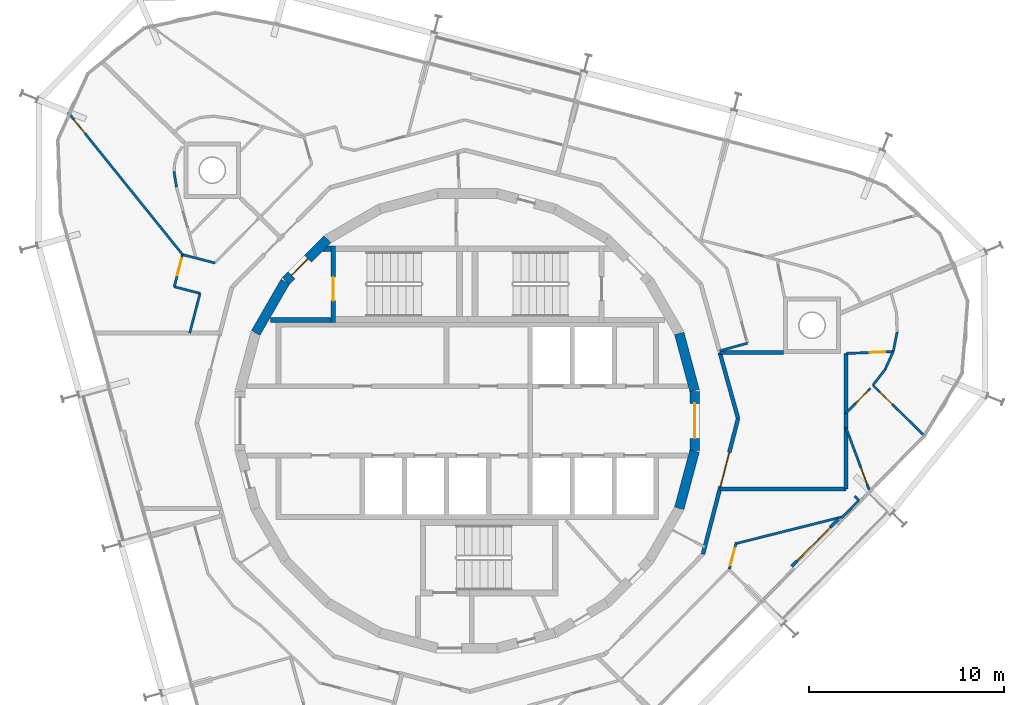
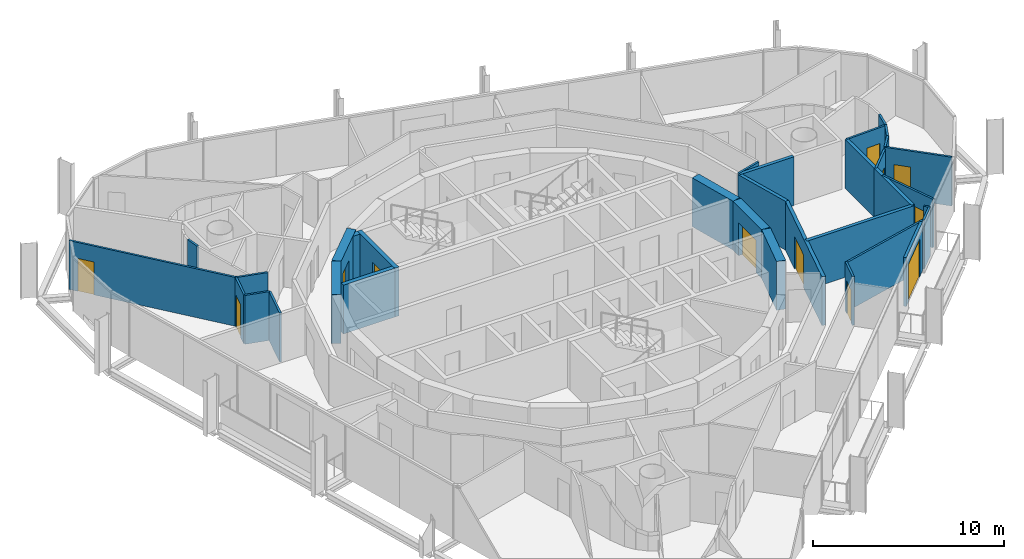
# One storey, part 12 of 15: 33 walls, 12 doors, 12 openings.
"""IFC4 building model written with IfcOpenShell, lengths in metres."""

import ifcopenshell
import ifcopenshell.guid

model = None  # the IFC model being written
_history = None  # IfcOwnerHistory: only IFC2X3 demands one
_inside = {}  # id of a spatial element -> (the spatial element, [elements in it])
_under = {}  # id of a project, library or spatial element -> (it, [spatial elements below it])
_declared = {}  # id of a project -> (the project, [libraries it declares])
_typed = {}  # id of a type object -> (the type object, [elements of that type])
_made_of = {}  # id of a material, layer set ... -> (it, [elements and type objects made of it])


def new_model(schema):
    """Start an empty IFC model of exactly this schema.

    Asked for "IFC4X3", IfcOpenShell would pick the latest addendum, in which some entities
    have other attributes; the version numbers below select the first issue.
    IFC2X3 requires an IfcOwnerHistory on every rooted entity: one is made here for all.
    """
    global model, _history
    if schema == "IFC4X3":
        model = ifcopenshell.file(schema_version=(4, 3, 0, 0))
    else:
        model = ifcopenshell.file(schema=schema)
    _inside.clear()
    _under.clear()
    _declared.clear()
    _typed.clear()
    _made_of.clear()
    _history = None
    if model.schema == "IFC2X3":
        org = make("IfcOrganization", Name="unknown")
        user = make(
            "IfcPersonAndOrganization",
            ThePerson=make("IfcPerson", FamilyName="unknown"),
            TheOrganization=org,
        )
        app = make(
            "IfcApplication",
            ApplicationDeveloper=org,
            Version="unknown",
            ApplicationFullName="unknown",
            ApplicationIdentifier="unknown",
        )
        _history = make(
            "IfcOwnerHistory",
            OwningUser=user,
            OwningApplication=app,
            ChangeAction="ADDED",
            CreationDate=0,
        )
    return model


def make(cls, **values):
    """One entity of the class cls with the attributes given. An attribute that is None is left unset."""
    return model.create_entity(
        cls, **{name: value for name, value in values.items() if value is not None}
    )


def rooted(cls, **values):
    """An entity with a GlobalId (a new one), such as an element, a storey or a relation."""
    return make(cls, GlobalId=ifcopenshell.guid.new(), OwnerHistory=_history, **values)


def si_unit(unit_type, name, prefix=None):
    """IfcSIUnit, for example si_unit("LENGTHUNIT", "METRE", prefix="MILLI")."""
    return make("IfcSIUnit", UnitType=unit_type, Prefix=prefix, Name=name)


def assignment(units):
    """IfcUnitAssignment: the units of a project."""
    return None if units is None else make("IfcUnitAssignment", Units=units)


def point(xyz):
    """IfcCartesianPoint."""
    return None if xyz is None else make("IfcCartesianPoint", Coordinates=xyz)


def direction(xyz):
    """IfcDirection."""
    return None if xyz is None else make("IfcDirection", DirectionRatios=xyz)


def frame(location, z_axis=None, x_axis=None):
    """IfcAxis2Placement3D, a coordinate frame: its origin and axes. An axis left out is left unset."""
    return make(
        "IfcAxis2Placement3D",
        Location=point(location),
        Axis=direction(z_axis),
        RefDirection=direction(x_axis),
    )


def frame_2d(location, x_axis=None):
    """IfcAxis2Placement2D, a coordinate frame in the plane: its origin and x axis."""
    return make(
        "IfcAxis2Placement2D", Location=point(location), RefDirection=direction(x_axis)
    )


def origin():
    """The frame at (0, 0, 0) with its axes left unset."""
    return frame((0.0, 0.0, 0.0))


def place(relative_to, where):
    """IfcLocalPlacement: puts the frame where relative to a parent placement (None: the world)."""
    return make(
        "IfcLocalPlacement", PlacementRelTo=relative_to, RelativePlacement=where
    )


def context(
    kind, dimensions, precision=None, world=None, true_north=None, identifier=None
):
    """IfcGeometricRepresentationContext, for example the 3D "Model" context."""
    return make(
        "IfcGeometricRepresentationContext",
        ContextIdentifier=identifier,
        ContextType=kind,
        CoordinateSpaceDimension=dimensions,
        Precision=precision,
        WorldCoordinateSystem=world,
        TrueNorth=true_north,
    )


def subcontext(parent, identifier, kind, view, scale=None):
    """IfcGeometricRepresentationSubContext, for example "Body" below "Model"."""
    return make(
        "IfcGeometricRepresentationSubContext",
        ContextIdentifier=identifier,
        ContextType=kind,
        ParentContext=parent,
        TargetScale=scale,
        TargetView=view,
    )


def project(units=None, contexts=None):
    """IfcProject with its units and contexts."""
    return rooted(
        "IfcProject",
        Name="project",
        RepresentationContexts=contexts,
        UnitsInContext=assignment(units),
    )


def spatial(cls, under=None, at=None, **own):
    """A site, building, storey or space (cls), placed at a placement, below another one or the project."""
    s = rooted(cls, ObjectPlacement=at, **own)
    if under is not None:
        _under.setdefault(under.id(), (under, []))[1].append(s)
    return s


def polyline(points):
    """IfcPolyline through the points."""
    return make("IfcPolyline", Points=[point(p) for p in points])


def profile(cls, at=None, kind="AREA", **sizes):
    """A parametric profile (cls). Its sizes go by their IFC names, for example OverallWidth=200.0."""
    return make(cls, ProfileType=kind, Position=at, **sizes)


def rectangle(**sizes):
    """IfcRectangleProfileDef."""
    return profile("IfcRectangleProfileDef", **sizes)


def outline(outer, holes=None, kind="AREA"):
    """IfcArbitraryClosedProfileDef: a profile drawn as a closed curve; with holes, ...WithVoids."""
    if holes is None:
        return make("IfcArbitraryClosedProfileDef", ProfileType=kind, OuterCurve=outer)
    return make(
        "IfcArbitraryProfileDefWithVoids",
        ProfileType=kind,
        OuterCurve=outer,
        InnerCurves=holes,
    )


def extrude(swept, where, along, depth):
    """IfcExtrudedAreaSolid: the profile swept, set in the frame where, extruded along a direction by depth."""
    return make(
        "IfcExtrudedAreaSolid",
        SweptArea=swept,
        Position=where,
        ExtrudedDirection=direction(along),
        Depth=depth,
    )


def shape(context_of_items, identifier, shape_type, items):
    """IfcShapeRepresentation: the items that make up one representation, for example the "Body"."""
    return make(
        "IfcShapeRepresentation",
        ContextOfItems=context_of_items,
        RepresentationIdentifier=identifier,
        RepresentationType=shape_type,
        Items=items,
    )


def material(Name=None, Category=None):
    """IfcMaterial."""
    return make("IfcMaterial", Name=Name, Category=Category)


def layer(
    of_material, thickness, ventilated=None, Name=None, Category=None, Priority=None
):
    """IfcMaterialLayer: one layer of a wall or slab, of a material (None: an air gap)."""
    return make(
        "IfcMaterialLayer",
        Material=of_material,
        LayerThickness=thickness,
        IsVentilated=ventilated,
        Name=Name,
        Category=Category,
        Priority=Priority,
    )


def layer_set(layers, Name=None):
    """IfcMaterialLayerSet."""
    return make("IfcMaterialLayerSet", MaterialLayers=layers, LayerSetName=Name)


def made_of(thing, what):
    """Note that an element or type object is made of a material, layer set ...; save() writes the relation."""
    if what is not None:
        _made_of.setdefault(what.id(), (what, []))[1].append(thing)
    return thing


def type_object(cls, material=None, **own):
    """A type object (cls), such as IfcWallType, which elements share."""
    return made_of(rooted(cls, **own), material)


def element(
    cls,
    number,
    at=None,
    inside=None,
    cuts=None,
    type_object=None,
    material=None,
    context=None,
    identifier="Body",
    shape_type=None,
    held_by="IfcProductDefinitionShape",
    body=None,
    shapes=None,
    **own,
):
    """One element of the class cls, such as IfcWall. Its Tag is "e" and its number.

    at: its placement. inside: the storey or other place that contains it. cuts: it is an
    opening in that element (IfcRelVoidsElement). A single representation is given by context,
    identifier, shape_type and body (its items); several are given by shapes. held_by: the class
    of the entity that holds the representations. save() writes the other relations.
    """
    e = rooted(cls, Tag="e%d" % number, ObjectPlacement=at, **own)
    if body is not None:
        shapes = [shape(context, identifier, shape_type, body)]
    if shapes is not None:
        e.Representation = make(held_by, Representations=shapes)
    if inside is not None:
        _inside.setdefault(inside.id(), (inside, []))[1].append(e)
    if cuts is not None:
        rooted(
            "IfcRelVoidsElement", RelatingBuildingElement=cuts, RelatedOpeningElement=e
        )
    if type_object is not None:
        _typed.setdefault(type_object.id(), (type_object, []))[1].append(e)
    return made_of(e, material)


def fill(opening, filler):
    """IfcRelFillsElement: the door or window that sits in an opening."""
    return rooted(
        "IfcRelFillsElement",
        RelatingOpeningElement=opening,
        RelatedBuildingElement=filler,
    )


def aggregate(whole, parts):
    """IfcRelAggregates: a whole, such as a stair, and the parts it consists of."""
    return rooted("IfcRelAggregates", RelatingObject=whole, RelatedObjects=parts)


def save(model, path):
    """Write the relations noted so far, then the file.

    IfcRelAggregates (storeys below a building ...), IfcRelContainedInSpatialStructure (elements
    in a storey), IfcRelDefinesByType, IfcRelAssociatesMaterial and IfcRelDeclares: one each for
    every whole, place, type object, material and project.
    """
    for whole, parts in _under.values():
        aggregate(whole, parts)
    for where, things in _inside.values():
        rooted(
            "IfcRelContainedInSpatialStructure",
            RelatedElements=things,
            RelatingStructure=where,
        )
    for kind, things in _typed.values():
        rooted("IfcRelDefinesByType", RelatedObjects=things, RelatingType=kind)
    for what, things in _made_of.values():
        rooted("IfcRelAssociatesMaterial", RelatedObjects=things, RelatingMaterial=what)
    for by, libraries in _declared.values():
        rooted("IfcRelDeclares", RelatingContext=by, RelatedDefinitions=libraries)
    model.write(path)


model = new_model("IFC4")

# Units and contexts
model_context = context("Model", 3, precision=1e-05, world=origin(), true_north=direction((0.0, 1.0)))
body_context = subcontext(model_context, "Body", "Model", "MODEL_VIEW")
ifc_project = project(units=[si_unit("LENGTHUNIT", "METRE"), si_unit("AREAUNIT", "SQUARE_METRE"), si_unit("VOLUMEUNIT", "CUBIC_METRE"), si_unit("PLANEANGLEUNIT", "RADIAN"), si_unit("MASSUNIT", "GRAM", prefix="KILO")], contexts=[model_context])

# Site, building, storey
site_placement = place(None, origin())
site = spatial("IfcSite", under=ifc_project, at=site_placement, CompositionType="ELEMENT")
building_placement = place(site_placement, origin())
building = spatial("IfcBuilding", under=site, at=building_placement, Name="Spindle Arch Residences", CompositionType="ELEMENT")
storey_placement = place(building_placement, frame((0.0, 0.0, 305.199951171875)))
storey = spatial("IfcBuildingStorey", under=building, at=storey_placement, Name="L78", CompositionType="ELEMENT", Elevation=305.199951171875)

# Wall
ifc_material_1 = material(Name="Concrete C50/60", Category="concrete")
ifc_layer_1 = layer(ifc_material_1, 0.5)
ifc_layer_set_1 = layer_set([ifc_layer_1], Name="Core outline wall 500")
wall_type_1 = type_object("IfcWallType", Name="Core outline wall 500", PredefinedType="SHEAR", material=ifc_layer_set_1)
wall_1_placement = place(storey_placement, frame((10.858154296875, -4.479248046875, 0.0), z_axis=(0.0, 0.0, 1.0), x_axis=(0.258734743916, 0.965948410781, 0.0)))
element("IfcWall", 1, at=wall_1_placement, inside=storey, type_object=wall_type_1, Name="Core outline wall 5", PredefinedType="SHEAR", context=body_context, shape_type="SweptSolid", body=[
    extrude(rectangle(XDim=3.03271484375, YDim=0.5, at=frame_2d((1.516357421875, 0.0))), origin(), (0.0, 0.0, 1.0), 3.1201171875),
])

# Wall, opening, door
wall_2_placement = place(storey_placement, frame((11.647216796875, -1.516357421875, 0.0), z_axis=(0.0, 0.0, 1.0), x_axis=(0.0, 1.0, 0.0)))
wall_2 = element("IfcWall", 2, at=wall_2_placement, inside=storey, type_object=wall_type_1, Name="Core outline wall 6", PredefinedType="SHEAR", context=body_context, shape_type="SweptSolid", body=[
    extrude(rectangle(XDim=3.03271484375, YDim=0.5, at=frame_2d((1.516357421875, 0.0))), origin(), (0.0, 0.0, 1.0), 3.1201171875),
])
opening_1_placement = place(wall_2_placement, frame((0.6162109375, 0.0, 0.0)))
opening_1 = element("IfcOpeningElement", 3, at=opening_1_placement, cuts=wall_2, Name="Opening R8A0-FE01", PredefinedType="OPENING", context=body_context, shape_type="SweptSolid", body=[
    extrude(rectangle(XDim=1.800048828125, YDim=2.10009765625, at=frame_2d((0.89990234375, 1.050048828125))), frame((0.0, 0.260009765625, 0.0), z_axis=(0.0, -1.0, 0.0), x_axis=(1.0, 0.0, 0.0)), (0.0, 0.0, 1.0), 0.52001953125),
])
ifc_material_2 = material(Name="Steel, fire-resisting door", Category="steel")
door_type_1 = type_object("IfcDoorType", Name="Fire-lift lobby door 1800x2100", OperationType="DOUBLE_DOOR_SINGLE_SWING", PredefinedType="DOOR", material=ifc_material_2)
door_1_placement = place(opening_1_placement, origin())
door_1 = element("IfcDoor", 4, at=door_1_placement, inside=storey, type_object=door_type_1, Name="Fire-lift lobby door R8A0-FE01", OperationType="DOUBLE_DOOR_SINGLE_SWING", OverallHeight=2.10009765625, OverallWidth=1.800048828125, PredefinedType="DOOR", context=body_context, shape_type="SweptSolid", body=[
    extrude(rectangle(XDim=1.800048828125, YDim=2.10009765625, at=frame_2d((0.89990234375, 1.050048828125))), frame((0.0, 0.02490234375, 0.0), z_axis=(0.0, -1.0, 0.0), x_axis=(1.0, 0.0, 0.0)), (0.0, 0.0, 1.0), 0.050048828125),
])
fill(opening_1, door_1)

# Wall
wall_3_placement = place(storey_placement, frame((11.642822265625, 1.5498046875, 0.0), z_axis=(0.0, 0.0, 1.0), x_axis=(-0.258734743916, 0.965948410781, 0.0)))
element("IfcWall", 5, at=wall_3_placement, inside=storey, type_object=wall_type_1, Name="Core outline wall 7", PredefinedType="SHEAR", context=body_context, shape_type="SweptSolid", body=[
    extrude(rectangle(XDim=3.03271484375, YDim=0.5, at=frame_2d((1.516357421875, 0.0))), origin(), (0.0, 0.0, 1.0), 3.1201171875),
])

# Wall, opening, door
wall_4_placement = place(storey_placement, frame((-7.163818359375, 9.30810546875, 0.0), z_axis=(0.0, 0.0, 1.0), x_axis=(-0.707106781187, -0.707106781187, 0.0)))
wall_4 = element("IfcWall", 6, at=wall_4_placement, inside=storey, type_object=wall_type_1, Name="Core outline wall 15", PredefinedType="SHEAR", context=body_context, shape_type="SweptSolid", body=[
    extrude(rectangle(XDim=3.032470703125, YDim=0.5, at=frame_2d((1.51611328125, 0.0))), origin(), (0.0, 0.0, 1.0), 3.1201171875),
])
opening_2_placement = place(wall_4_placement, frame((1.416259765625, 0.0, 0.0)))
opening_2 = element("IfcOpeningElement", 7, at=opening_2_placement, cuts=wall_4, Name="Opening R8A0-AD02", PredefinedType="OPENING", context=body_context, shape_type="SweptSolid", body=[
    extrude(rectangle(XDim=1.199951171875, YDim=2.10009765625, at=frame_2d((0.60009765625, 1.050048828125))), frame((0.0, 0.260009765625, 0.0), z_axis=(0.0, -1.0, 0.0), x_axis=(1.0, 0.0, 0.0)), (0.0, 0.0, 1.0), 0.52001953125),
])
ifc_material_3 = material(Name="Steel, fire-resisting door", Category="steel")
door_type_2 = type_object("IfcDoorType", Name="Stair airlock door 1200x2100", OperationType="SINGLE_SWING_LEFT", PredefinedType="DOOR", material=ifc_material_3)
door_2_placement = place(opening_2_placement, origin())
door_2 = element("IfcDoor", 8, at=door_2_placement, inside=storey, type_object=door_type_2, Name="Stair airlock door R8A0-AD02", OperationType="SINGLE_SWING_RIGHT", OverallHeight=2.10009765625, OverallWidth=1.199951171875, PredefinedType="DOOR", context=body_context, shape_type="SweptSolid", body=[
    extrude(rectangle(XDim=1.199951171875, YDim=2.10009765625, at=frame_2d((0.60009765625, 1.050048828125))), frame((0.0, 0.02490234375, 0.0), z_axis=(0.0, -1.0, 0.0), x_axis=(1.0, 0.0, 0.0)), (0.0, 0.0, 1.0), 0.050048828125),
])
fill(opening_2, door_2)

# Wall
wall_5_placement = place(storey_placement, frame((-9.32861328125, 7.13671875, 0.0), z_axis=(0.0, 0.0, 1.0), x_axis=(-0.500087131594, -0.865975092491, 0.0)))
element("IfcWall", 9, at=wall_5_placement, inside=storey, type_object=wall_type_1, Name="Core outline wall 16", PredefinedType="SHEAR", context=body_context, shape_type="SweptSolid", body=[
    extrude(rectangle(XDim=3.03271484375, YDim=0.5, at=frame_2d((1.516357421875, 0.0))), origin(), (0.0, 0.0, 1.0), 3.1201171875),
])

# Wall, opening, door
ifc_material_4 = material(Name="Calcium silicate block, plastered")
ifc_layer_2 = layer(ifc_material_4, 0.199951171875)
ifc_layer_set_2 = layer_set([ifc_layer_2], Name="Fire-lift lobby bay wall 200")
wall_type_2 = type_object("IfcWallType", Name="Fire-lift lobby bay wall 200", PredefinedType="STANDARD", material=ifc_layer_set_2)
wall_6_placement = place(storey_placement, frame((12.07421875, -6.831298828125, 0.0), z_axis=(0.0, 0.0, 1.0), x_axis=(0.250391063186, 0.968144780225, 0.0)))
wall_6 = element("IfcWall", 10, at=wall_6_placement, inside=storey, type_object=wall_type_2, Name="Fire-lift lobby bay wall R8A0-W004", PredefinedType="STANDARD", context=body_context, shape_type="SweptSolid", body=[
    extrude(rectangle(XDim=7.18115234375, YDim=0.199951171875, at=frame_2d((3.590576171875, 0.0))), origin(), (0.0, 0.0, 1.0), 3.1201171875),
])
opening_3_placement = place(wall_6_placement, frame((3.580810546875, 0.0, 0.0)))
opening_3 = element("IfcOpeningElement", 11, at=opening_3_placement, cuts=wall_6, Name="Opening R8A0-FB01", PredefinedType="OPENING", context=body_context, shape_type="SweptSolid", body=[
    extrude(rectangle(XDim=1.800048828125, YDim=2.10009765625, at=frame_2d((0.89990234375, 1.050048828125))), frame((0.0, 0.10986328125, 0.0), z_axis=(0.0, -1.0, 0.0), x_axis=(1.0, 0.0, 0.0)), (0.0, 0.0, 1.0), 0.219970703125),
])
ifc_material_5 = material(Name="Steel, fire-resisting door", Category="steel")
door_type_3 = type_object("IfcDoorType", Name="Fire-lift lobby bay door 1800x2100", OperationType="NOTDEFINED", PredefinedType="DOOR", material=ifc_material_5)
door_3_placement = place(opening_3_placement, origin())
door_3 = element("IfcDoor", 12, at=door_3_placement, inside=storey, type_object=door_type_3, Name="Fire-lift lobby bay door R8A0-FB01", OperationType="DOUBLE_DOOR_SINGLE_SWING", OverallHeight=2.10009765625, OverallWidth=1.800048828125, PredefinedType="DOOR", context=body_context, shape_type="SweptSolid", body=[
    extrude(rectangle(XDim=1.800048828125, YDim=2.10009765625, at=frame_2d((0.89990234375, 1.050048828125))), frame((0.0, 0.02490234375, 0.0), z_axis=(0.0, -1.0, 0.0), x_axis=(1.0, 0.0, 0.0)), (0.0, 0.0, 1.0), 0.050048828125),
])
fill(opening_3, door_3)

# Walls
wall_7_placement = place(storey_placement, frame((13.872314453125, 0.12109375, 0.0), z_axis=(0.0, 0.0, 1.0), x_axis=(-0.267291928416, 0.963615600228, 0.0)))
element("IfcWall", 13, at=wall_7_placement, inside=storey, type_object=wall_type_2, Name="Fire-lift lobby bay wall R8A0-W005", PredefinedType="STANDARD", context=body_context, shape_type="SweptSolid", body=[
    extrude(rectangle(XDim=3.506591796875, YDim=0.199951171875, at=frame_2d((1.75341796875, 0.0))), origin(), (0.0, 0.0, 1.0), 3.1201171875),
])
wall_8_placement = place(storey_placement, frame((16.20263671875, 3.510009765625, 0.0), z_axis=(0.0, 0.0, 1.0), x_axis=(-1.0, 0.0, 0.0)))
element("IfcWall", 14, at=wall_8_placement, inside=storey, type_object=wall_type_2, Name="Fire-lift lobby bay wall R8A0-W019", PredefinedType="STANDARD", context=body_context, shape_type="SweptSolid", body=[
    extrude(rectangle(XDim=3.260009765625, YDim=0.199951171875, at=frame_2d((1.6298828125, 0.0))), origin(), (0.0, 0.0, 1.0), 3.1201171875),
])
wall_9_placement = place(storey_placement, frame((12.935791015625, -3.5, 0.0), z_axis=(0.0, 0.0, 1.0), x_axis=(1.0, 0.0, 0.0)))
element("IfcWall", 15, at=wall_9_placement, inside=storey, type_object=wall_type_2, Name="Fire-lift lobby bay wall R8A0-W020", PredefinedType="STANDARD", context=body_context, shape_type="SweptSolid", body=[
    extrude(rectangle(XDim=6.464111328125, YDim=0.199951171875, at=frame_2d((3.23193359375, 0.0))), origin(), (0.0, 0.0, 1.0), 3.1201171875),
])
wall_10_placement = place(storey_placement, frame((19.39990234375, -3.5, 0.0), z_axis=(0.0, 0.0, 1.0), x_axis=(0.0, 1.0, 0.0)))
element("IfcWall", 16, at=wall_10_placement, inside=storey, type_object=wall_type_2, Name="Fire-lift lobby bay wall R8A0-W021", PredefinedType="STANDARD", context=body_context, shape_type="SweptSolid", body=[
    extrude(rectangle(XDim=3.888671875, YDim=0.199951171875, at=frame_2d((1.9443359375, 0.0))), origin(), (0.0, 0.0, 1.0), 3.1201171875),
])
wall_11_placement = place(storey_placement, frame((19.39990234375, 0.388671875, 0.0), z_axis=(0.0, 0.0, 1.0), x_axis=(0.0, 1.0, 0.0)))
element("IfcWall", 17, at=wall_11_placement, inside=storey, type_object=wall_type_2, Name="Fire-lift lobby bay wall R8A0-W022", PredefinedType="STANDARD", context=body_context, shape_type="SweptSolid", body=[
    extrude(rectangle(XDim=3.065185546875, YDim=0.199951171875, at=frame_2d((1.53271484375, 0.0))), origin(), (0.0, 0.0, 1.0), 3.1201171875),
])
ifc_material_6 = material(Name="Plasterboard on steel studs", Category="steel")
ifc_layer_3 = layer(ifc_material_6, 0.1201171875)
ifc_layer_set_3 = layer_set([ifc_layer_3], Name="Flat partition 120")
wall_type_3 = type_object("IfcWallType", Name="Flat partition 120", PredefinedType="PARTITIONING", material=ifc_layer_set_3)
wall_12_placement = place(storey_placement, frame((12.927001953125, 3.5849609375, 0.0), z_axis=(0.0, 0.0, 1.0), x_axis=(0.963616756608, 0.26728775951, 0.0)))
element("IfcWall", 18, at=wall_12_placement, inside=storey, type_object=wall_type_3, Name="Flat partition R8A0-W032", PredefinedType="PARTITIONING", context=body_context, shape_type="SweptSolid", body=[
    extrude(rectangle(XDim=1.485107421875, YDim=0.1201171875, at=frame_2d((0.74267578125, 0.0))), origin(), (0.0, 0.0, 1.0), 3.1201171875),
])
wall_13_placement = place(storey_placement, frame((-12.938720703125, 8.091552734375, 0.0), z_axis=(0.0, 0.0, 1.0), x_axis=(-0.968179141411, 0.250258166974, 0.0)))
element("IfcWall", 19, at=wall_13_placement, inside=storey, type_object=wall_type_3, Name="Flat partition R8A0-W059", PredefinedType="PARTITIONING", context=body_context, shape_type="SweptSolid", body=[
    extrude(rectangle(XDim=1.709228515625, YDim=0.1201171875, at=frame_2d((0.8544921875, 0.0))), origin(), (0.0, 0.0, 1.0), 3.1201171875),
])

# Wall, opening, door
wall_14_placement = place(storey_placement, frame((-14.593505859375, 8.519287109375, 0.0), z_axis=(0.0, 0.0, 1.0), x_axis=(-0.250468695288, -0.968124698931, 0.0)))
wall_14 = element("IfcWall", 20, at=wall_14_placement, inside=storey, type_object=wall_type_3, Name="Flat partition R8A0-W060", PredefinedType="PARTITIONING", context=body_context, shape_type="SweptSolid", body=[
    extrude(rectangle(XDim=1.699951171875, YDim=0.1201171875, at=frame_2d((0.85009765625, 0.0))), origin(), (0.0, 0.0, 1.0), 3.1201171875),
])
opening_4_placement = place(wall_14_placement, frame((0.199951171875, 0.0, 0.0)))
opening_4 = element("IfcOpeningElement", 21, at=opening_4_placement, cuts=wall_14, Name="Opening R8A0-ID10", PredefinedType="OPENING", context=body_context, shape_type="SweptSolid", body=[
    extrude(rectangle(XDim=0.89990234375, YDim=2.10009765625, at=frame_2d((0.449951171875, 1.050048828125))), frame((0.0, 0.070068359375, 0.0), z_axis=(0.0, -1.0, 0.0), x_axis=(1.0, 0.0, 0.0)), (0.0, 0.0, 1.0), 0.14013671875),
])
ifc_material_7 = material(Name="Timber door set", Category="wood")
door_type_4 = type_object("IfcDoorType", Name="Room door 900x2100", OperationType="NOTDEFINED", PredefinedType="DOOR", material=ifc_material_7)
door_4_placement = place(opening_4_placement, origin())
door_4 = element("IfcDoor", 22, at=door_4_placement, inside=storey, type_object=door_type_4, Name="Room door R8A0-ID10", OperationType="SINGLE_SWING_LEFT", OverallHeight=2.10009765625, OverallWidth=0.89990234375, PredefinedType="DOOR", context=body_context, shape_type="SweptSolid", body=[
    extrude(rectangle(XDim=0.89990234375, YDim=2.10009765625, at=frame_2d((0.449951171875, 1.050048828125))), frame((0.0, 0.02490234375, 0.0), z_axis=(0.0, -1.0, 0.0), x_axis=(1.0, 0.0, 0.0)), (0.0, 0.0, 1.0), 0.050048828125),
])
fill(opening_4, door_4)

# Walls
wall_15_placement = place(storey_placement, frame((-15.019287109375, 6.87353515625, 0.0), z_axis=(0.0, 0.0, 1.0), x_axis=(0.968182114673, -0.250246663967, 0.0)))
element("IfcWall", 23, at=wall_15_placement, inside=storey, type_object=wall_type_3, Name="Flat partition R8A0-W061", PredefinedType="PARTITIONING", context=body_context, shape_type="SweptSolid", body=[
    extrude(rectangle(XDim=1.36181640625, YDim=0.1201171875, at=frame_2d((0.680908203125, 0.0))), origin(), (0.0, 0.0, 1.0), 3.1201171875),
])
wall_16_placement = place(storey_placement, frame((-13.70068359375, 6.53271484375, 0.0), z_axis=(0.0, 0.0, 1.0), x_axis=(-0.250352755349, -0.968154686963, 0.0)))
element("IfcWall", 24, at=wall_16_placement, inside=storey, type_object=wall_type_3, Name="Flat partition R8A0-W062", PredefinedType="PARTITIONING", context=body_context, shape_type="SweptSolid", body=[
    extrude(rectangle(XDim=2.099609375, YDim=0.1201171875, at=frame_2d((1.0498046875, 0.0))), origin(), (0.0, 0.0, 1.0), 3.1201171875),
])
wall_17_placement = place(storey_placement, frame((-14.9072265625, 11.975830078125, 0.0), z_axis=(0.0, 0.0, 1.0), x_axis=(-0.153398456533, 0.988164416245, 0.0)))
element("IfcWall", 25, at=wall_17_placement, inside=storey, type_object=wall_type_3, Name="Flat partition R8A0-W064", PredefinedType="PARTITIONING", context=body_context, shape_type="SweptSolid", body=[
    extrude(rectangle(XDim=0.806884765625, YDim=0.1201171875, at=frame_2d((0.4033203125, 0.0))), origin(), (0.0, 0.0, 1.0), 3.1201171875),
])

# Wall, opening, door
wall_18_placement = place(storey_placement, frame((-20.46630859375, 15.812255859375, 0.0), z_axis=(0.0, 0.0, 1.0), x_axis=(0.62719424473, -0.77886287585, 0.0)))
wall_18 = element("IfcWall", 26, at=wall_18_placement, inside=storey, type_object=wall_type_3, Name="Flat partition R8A0-W068", PredefinedType="PARTITIONING", context=body_context, shape_type="SweptSolid", body=[
    extrude(rectangle(XDim=9.363525390625, YDim=0.1201171875, at=frame_2d((4.681640625, 0.0))), origin(), (0.0, 0.0, 1.0), 3.1201171875),
])
opening_5_placement = place(wall_18_placement, frame((0.5, 0.0, 0.0)))
opening_5 = element("IfcOpeningElement", 27, at=opening_5_placement, cuts=wall_18, Name="Opening R8A0-ID11", PredefinedType="OPENING", context=body_context, shape_type="SweptSolid", body=[
    extrude(rectangle(XDim=0.89990234375, YDim=2.10009765625, at=frame_2d((0.449951171875, 1.050048828125))), frame((0.0, 0.070068359375, 0.0), z_axis=(0.0, -1.0, 0.0), x_axis=(1.0, 0.0, 0.0)), (0.0, 0.0, 1.0), 0.14013671875),
])
door_5_placement = place(opening_5_placement, origin())
door_5 = element("IfcDoor", 28, at=door_5_placement, inside=storey, type_object=door_type_4, Name="Room door R8A0-ID11", OperationType="SINGLE_SWING_LEFT", OverallHeight=2.10009765625, OverallWidth=0.89990234375, PredefinedType="DOOR", context=body_context, shape_type="SweptSolid", body=[
    extrude(rectangle(XDim=0.89990234375, YDim=2.10009765625, at=frame_2d((0.449951171875, 1.050048828125))), frame((0.0, 0.02490234375, 0.0), z_axis=(0.0, -1.0, 0.0), x_axis=(1.0, 0.0, 0.0)), (0.0, 0.0, 1.0), 0.050048828125),
])
fill(opening_5, door_5)

wall_19_placement = place(storey_placement, frame((13.42578125, -7.595947265625, 0.0), z_axis=(0.0, 0.0, 1.0), x_axis=(0.250380027586, 0.968147634292, 0.0)))
wall_19 = element("IfcWall", 29, at=wall_19_placement, inside=storey, type_object=wall_type_3, Name="Flat partition R8A0-W097", PredefinedType="PARTITIONING", context=body_context, shape_type="SweptSolid", body=[
    extrude(rectangle(XDim=1.411865234375, YDim=0.1201171875, at=frame_2d((0.7060546875, 0.0))), origin(), (0.0, 0.0, 1.0), 3.1201171875),
])
opening_6_placement = place(wall_19_placement, frame((0.199951171875, 0.0, 0.0)))
opening_6 = element("IfcOpeningElement", 30, at=opening_6_placement, cuts=wall_19, Name="Opening R8A0-ID22", PredefinedType="OPENING", context=body_context, shape_type="SweptSolid", body=[
    extrude(rectangle(XDim=0.89990234375, YDim=2.10009765625, at=frame_2d((0.449951171875, 1.050048828125))), frame((0.0, 0.070068359375, 0.0), z_axis=(0.0, -1.0, 0.0), x_axis=(1.0, 0.0, 0.0)), (0.0, 0.0, 1.0), 0.14013671875),
])
door_6_placement = place(opening_6_placement, origin())
door_6 = element("IfcDoor", 31, at=door_6_placement, inside=storey, type_object=door_type_4, Name="Room door R8A0-ID22", OperationType="SINGLE_SWING_RIGHT", OverallHeight=2.10009765625, OverallWidth=0.89990234375, PredefinedType="DOOR", context=body_context, shape_type="SweptSolid", body=[
    extrude(rectangle(XDim=0.89990234375, YDim=2.10009765625, at=frame_2d((0.449951171875, 1.050048828125))), frame((0.0, 0.02490234375, 0.0), z_axis=(0.0, -1.0, 0.0), x_axis=(1.0, 0.0, 0.0)), (0.0, 0.0, 1.0), 0.050048828125),
])
fill(opening_6, door_6)

# Walls
wall_20_placement = place(storey_placement, frame((13.7919921875, -6.27978515625, 0.0), z_axis=(0.0, 0.0, 1.0), x_axis=(0.970009253073, 0.243067992449, 0.0)))
element("IfcWall", 32, at=wall_20_placement, inside=storey, type_object=wall_type_3, Name="Flat partition R8A0-W098", PredefinedType="PARTITIONING", context=body_context, shape_type="SweptSolid", body=[
    extrude(rectangle(XDim=5.610595703125, YDim=0.1201171875, at=frame_2d((2.80517578125, 0.0))), origin(), (0.0, 0.0, 1.0), 3.1201171875),
])
wall_21_placement = place(storey_placement, frame((19.180419921875, -4.970703125, 0.0), z_axis=(0.0, 0.0, 1.0), x_axis=(0.700974030867, 0.713186797445, 0.0)))
element("IfcWall", 33, at=wall_21_placement, inside=storey, type_object=wall_type_3, Name="Flat partition R8A0-W099", PredefinedType="PARTITIONING", context=body_context, shape_type="SweptSolid", body=[
    extrude(rectangle(XDim=1.259521484375, YDim=0.1201171875, at=frame_2d((0.6298828125, 0.0))), origin(), (0.0, 0.0, 1.0), 3.1201171875),
])

# Wall, opening, door
wall_22_placement = place(storey_placement, frame((20.589599609375, -3.536865234375, 0.0), z_axis=(0.0, 0.0, 1.0), x_axis=(-0.348621180513, 0.937263715556, 0.0)))
wall_22 = element("IfcWall", 34, at=wall_22_placement, inside=storey, type_object=wall_type_3, Name="Flat partition R8A0-W100", PredefinedType="PARTITIONING", context=body_context, shape_type="SweptSolid", body=[
    extrude(rectangle(XDim=3.41259765625, YDim=0.1201171875, at=frame_2d((1.706298828125, 0.0))), origin(), (0.0, 0.0, 1.0), 3.1201171875),
])
opening_7_placement = place(wall_22_placement, frame((0.320068359375, 0.0, 0.0)))
opening_7 = element("IfcOpeningElement", 35, at=opening_7_placement, cuts=wall_22, Name="Opening R8A0-ID23", PredefinedType="OPENING", context=body_context, shape_type="SweptSolid", body=[
    extrude(rectangle(XDim=0.89990234375, YDim=2.10009765625, at=frame_2d((0.449951171875, 1.050048828125))), frame((0.0, 0.070068359375, 0.0), z_axis=(0.0, -1.0, 0.0), x_axis=(1.0, 0.0, 0.0)), (0.0, 0.0, 1.0), 0.14013671875),
])
door_7_placement = place(opening_7_placement, origin())
door_7 = element("IfcDoor", 36, at=door_7_placement, inside=storey, type_object=door_type_4, Name="Room door R8A0-ID23", OperationType="SINGLE_SWING_RIGHT", OverallHeight=2.10009765625, OverallWidth=0.89990234375, PredefinedType="DOOR", context=body_context, shape_type="SweptSolid", body=[
    extrude(rectangle(XDim=0.89990234375, YDim=2.10009765625, at=frame_2d((0.449951171875, 1.050048828125))), frame((0.0, 0.02490234375, 0.0), z_axis=(0.0, -1.0, 0.0), x_axis=(1.0, 0.0, 0.0)), (0.0, 0.0, 1.0), 0.050048828125),
])
fill(opening_7, door_7)

# Walls
wall_23_placement = place(storey_placement, frame((20.78125, 1.82861328125, 0.0), z_axis=(0.0, 0.0, 1.0), x_axis=(0.613326972183, 0.789829111386, 0.0)))
element("IfcWall", 37, at=wall_23_placement, inside=storey, type_object=wall_type_3, Name="Flat partition R8A0-W101", PredefinedType="PARTITIONING", context=body_context, shape_type="SweptSolid", body=[
    extrude(rectangle(XDim=1.01953125, YDim=0.1201171875, at=frame_2d((0.509765625, 0.0))), origin(), (0.0, 0.0, 1.0), 3.1201171875),
])
wall_24_placement = place(storey_placement, frame((21.406494140625, 2.6337890625, 0.0), z_axis=(0.0, 0.0, 1.0), x_axis=(0.414726005229, 0.909946339399, 0.0)))
element("IfcWall", 38, at=wall_24_placement, inside=storey, type_object=wall_type_3, Name="Flat partition R8A0-W102", PredefinedType="PARTITIONING", context=body_context, shape_type="SweptSolid", body=[
    extrude(rectangle(XDim=1.01611328125, YDim=0.1201171875, at=frame_2d((0.508056640625, 0.0))), origin(), (0.0, 0.0, 1.0), 3.1201171875),
])

# Wall, opening, door
wall_25_placement = place(storey_placement, frame((21.822021484375, 3.54541015625, 0.0), z_axis=(0.0, 0.0, 1.0), x_axis=(-0.999286397149, -0.037771635816, 0.0)))
wall_25 = element("IfcWall", 39, at=wall_25_placement, inside=storey, type_object=wall_type_3, Name="Flat partition R8A0-W103", PredefinedType="PARTITIONING", context=body_context, shape_type="SweptSolid", body=[
    extrude(rectangle(XDim=2.423828125, YDim=0.1201171875, at=frame_2d((1.2119140625, 0.0))), origin(), (0.0, 0.0, 1.0), 3.1201171875),
])
opening_8_placement = place(wall_25_placement, frame((0.39990234375, 0.0, 0.0)))
opening_8 = element("IfcOpeningElement", 40, at=opening_8_placement, cuts=wall_25, Name="Opening R8A0-BD06", PredefinedType="OPENING", context=body_context, shape_type="SweptSolid", body=[
    extrude(rectangle(XDim=0.800048828125, YDim=2.10009765625, at=frame_2d((0.39990234375, 1.050048828125))), frame((0.0, 0.070068359375, 0.0), z_axis=(0.0, -1.0, 0.0), x_axis=(1.0, 0.0, 0.0)), (0.0, 0.0, 1.0), 0.14013671875),
])
ifc_material_8 = material(Name="Timber door set", Category="wood")
door_type_5 = type_object("IfcDoorType", Name="Bathroom door 800x2100", OperationType="NOTDEFINED", PredefinedType="DOOR", material=ifc_material_8)
door_8_placement = place(opening_8_placement, origin())
door_8 = element("IfcDoor", 41, at=door_8_placement, inside=storey, type_object=door_type_5, Name="Bathroom door R8A0-BD06", OperationType="SINGLE_SWING_RIGHT", OverallHeight=2.10009765625, OverallWidth=0.800048828125, PredefinedType="DOOR", context=body_context, shape_type="SweptSolid", body=[
    extrude(rectangle(XDim=0.800048828125, YDim=2.10009765625, at=frame_2d((0.39990234375, 1.050048828125))), frame((0.0, 0.02490234375, 0.0), z_axis=(0.0, -1.0, 0.0), x_axis=(1.0, 0.0, 0.0)), (0.0, 0.0, 1.0), 0.050048828125),
])
fill(opening_8, door_8)

wall_26_placement = place(storey_placement, frame((19.39990234375, 0.388671875, 0.0), z_axis=(0.0, 0.0, 1.0), x_axis=(0.700870484553, 0.713288555833, 0.0)))
wall_26 = element("IfcWall", 42, at=wall_26_placement, inside=storey, type_object=wall_type_3, Name="Flat partition R8A0-W104", PredefinedType="PARTITIONING", context=body_context, shape_type="SweptSolid", body=[
    extrude(rectangle(XDim=1.7890625, YDim=0.1201171875, at=frame_2d((0.89453125, 0.0))), origin(), (0.0, 0.0, 1.0), 3.1201171875),
])
opening_9_placement = place(wall_26_placement, frame((0.719970703125, 0.0, 0.0)))
opening_9 = element("IfcOpeningElement", 43, at=opening_9_placement, cuts=wall_26, Name="Opening R8A0-ID24", PredefinedType="OPENING", context=body_context, shape_type="SweptSolid", body=[
    extrude(rectangle(XDim=0.89990234375, YDim=2.10009765625, at=frame_2d((0.449951171875, 1.050048828125))), frame((0.0, 0.070068359375, 0.0), z_axis=(0.0, -1.0, 0.0), x_axis=(1.0, 0.0, 0.0)), (0.0, 0.0, 1.0), 0.14013671875),
])
door_9_placement = place(opening_9_placement, origin())
door_9 = element("IfcDoor", 44, at=door_9_placement, inside=storey, type_object=door_type_4, Name="Room door R8A0-ID24", OperationType="SINGLE_SWING_LEFT", OverallHeight=2.10009765625, OverallWidth=0.89990234375, PredefinedType="DOOR", context=body_context, shape_type="SweptSolid", body=[
    extrude(rectangle(XDim=0.89990234375, YDim=2.10009765625, at=frame_2d((0.449951171875, 1.050048828125))), frame((0.0, 0.02490234375, 0.0), z_axis=(0.0, -1.0, 0.0), x_axis=(1.0, 0.0, 0.0)), (0.0, 0.0, 1.0), 0.050048828125),
])
fill(opening_9, door_9)

# Wall
wall_27_placement = place(storey_placement, frame((22.024658203125, 4.554931640625, 0.0), z_axis=(0.0, 0.0, 1.0), x_axis=(-0.193712169286, -0.981058405739, 0.0)))
element("IfcWall", 45, at=wall_27_placement, inside=storey, type_object=wall_type_3, Name="Flat partition R8A0-W107", PredefinedType="PARTITIONING", context=body_context, shape_type="SweptSolid", body=[
    extrude(rectangle(XDim=1.015869140625, YDim=0.1201171875, at=frame_2d((0.5078125, 0.0))), origin(), (0.0, 0.0, 1.0), 3.1201171875),
])

# Wall, opening, door
wall_28_placement = place(storey_placement, frame((20.78125, 1.82861328125, 0.0), z_axis=(0.0, 0.0, 1.0), x_axis=(0.713277344744, -0.700881894099, 0.0)))
wall_28 = element("IfcWall", 46, at=wall_28_placement, inside=storey, type_object=wall_type_3, Name="Flat partition R8A0-W108", PredefinedType="PARTITIONING", context=body_context, shape_type="SweptSolid", body=[
    extrude(rectangle(XDim=3.6240234375, YDim=0.1201171875, at=frame_2d((1.81201171875, 0.0))), origin(), (0.0, 0.0, 1.0), 3.1201171875),
])
opening_10_placement = place(wall_28_placement, frame((0.5, 0.0, 0.0)))
opening_10 = element("IfcOpeningElement", 47, at=opening_10_placement, cuts=wall_28, Name="Opening R8A0-ID25", PredefinedType="OPENING", context=body_context, shape_type="SweptSolid", body=[
    extrude(rectangle(XDim=0.89990234375, YDim=2.10009765625, at=frame_2d((0.449951171875, 1.050048828125))), frame((0.0, 0.070068359375, 0.0), z_axis=(0.0, -1.0, 0.0), x_axis=(1.0, 0.0, 0.0)), (0.0, 0.0, 1.0), 0.14013671875),
])
door_10_placement = place(opening_10_placement, origin())
door_10 = element("IfcDoor", 48, at=door_10_placement, inside=storey, type_object=door_type_4, Name="Room door R8A0-ID25", OperationType="SINGLE_SWING_RIGHT", OverallHeight=2.10009765625, OverallWidth=0.89990234375, PredefinedType="DOOR", context=body_context, shape_type="SweptSolid", body=[
    extrude(rectangle(XDim=0.89990234375, YDim=2.10009765625, at=frame_2d((0.449951171875, 1.050048828125))), frame((0.0, 0.02490234375, 0.0), z_axis=(0.0, -1.0, 0.0), x_axis=(1.0, 0.0, 0.0)), (0.0, 0.0, 1.0), 0.050048828125),
])
fill(opening_10, door_10)

# Wall
wall_29_placement = place(storey_placement, frame((20.063232421875, -4.072509765625, 0.0), z_axis=(0.0, 0.0, 1.0), x_axis=(-0.7135861572, 0.700567481584, 0.0)))
element("IfcWall", 49, at=wall_29_placement, inside=storey, type_object=wall_type_3, Name="Flat partition R8A0-W110", PredefinedType="PARTITIONING", context=body_context, shape_type="SweptSolid", body=[
    extrude(rectangle(XDim=0.300048828125, YDim=0.1201171875, at=frame_2d((0.14990234375, 0.0))), origin(), (0.0, 0.0, 1.0), 3.1201171875),
])

# Wall, opening, door
ifc_material_9 = material(Name="Non-combustible mineral wool insulated aluminium faced external wall (K0)", Category="aluminium")
ifc_layer_4 = layer(ifc_material_9, 0.159912109375)
ifc_layer_set_4 = layer_set([ifc_layer_4], Name="Insulated external wall panel 160")
wall_type_4 = type_object("IfcWallType", Name="Insulated external wall panel 160", PredefinedType="STANDARD", material=ifc_layer_set_4)
wall_30_placement = place(storey_placement, frame((16.6259765625, -7.456298828125, 0.0), z_axis=(0.0, 0.0, 1.0), x_axis=(0.700902547194, 0.713257049973, 0.0)))
wall_30 = element("IfcWall", 50, at=wall_30_placement, inside=storey, type_object=wall_type_4, Name="External wall L78 bay 1", PredefinedType="STANDARD", context=body_context, shape_type="SweptSolid", body=[
    extrude(rectangle(XDim=3.39892578125, YDim=0.159912109375, at=frame_2d((1.699462890625, 0.0))), origin(), (0.0, 0.0, 1.0), 3.1201171875),
])
opening_11_placement = place(wall_30_placement, frame((0.39990234375, 0.0, 0.0)))
opening_11 = element("IfcOpeningElement", 51, at=opening_11_placement, cuts=wall_30, Name="Opening BD01", PredefinedType="OPENING", context=body_context, shape_type="SweptSolid", body=[
    extrude(rectangle(XDim=2.39990234375, YDim=2.39990234375, at=frame_2d((1.199951171875, 1.199951171875))), frame((0.0, 0.08984375, 0.0), z_axis=(0.0, -1.0, 0.0), x_axis=(1.0, 0.0, 0.0)), (0.0, 0.0, 1.0), 0.179931640625),
])
ifc_material_10 = material(Name="Bronze aluminium frame, tinted double glazing", Category="aluminium")
door_type_6 = type_object("IfcDoorType", Name="Sliding glazed balcony door 2400x2400", OperationType="DOUBLE_DOOR_SLIDING", PredefinedType="DOOR", material=ifc_material_10)
door_11_placement = place(opening_11_placement, origin())
door_11 = element("IfcDoor", 52, at=door_11_placement, inside=storey, type_object=door_type_6, Name="Balcony door BD01", OperationType="DOUBLE_DOOR_SLIDING", OverallHeight=2.39990234375, OverallWidth=2.39990234375, PredefinedType="DOOR", context=body_context, shape_type="SweptSolid", body=[
    extrude(rectangle(XDim=2.39990234375, YDim=2.39990234375, at=frame_2d((1.199951171875, 1.199951171875))), frame((0.0, 0.02490234375, 0.0), z_axis=(0.0, -1.0, 0.0), x_axis=(1.0, 0.0, 0.0)), (0.0, 0.0, 1.0), 0.050048828125),
])
fill(opening_11, door_11)

# Walls
ifc_material_11 = material(Name="Concrete C40/50", Category="concrete")
ifc_layer_5 = layer(ifc_material_11, 0.25)
ifc_layer_set_5 = layer_set([ifc_layer_5], Name="Stair airlock wall 250")
wall_type_5 = type_object("IfcWallType", Name="Stair airlock wall 250", PredefinedType="SHEAR", material=ifc_layer_set_5)
wall_31_placement = place(storey_placement, frame((-7.0, 5.175048828125, 0.0), z_axis=(0.0, 0.0, 1.0), x_axis=(-1.0, 0.0, 0.0)))
element("IfcWall", 53, at=wall_31_placement, inside=storey, type_object=wall_type_5, Name="Stair ST-2 airlock wall S", PredefinedType="SHEAR", context=body_context, shape_type="SweptSolid", body=[
    extrude(rectangle(XDim=3.10009765625, YDim=0.25, at=frame_2d((1.550048828125, 0.0))), origin(), (0.0, 0.0, 1.0), 3.1201171875),
])
ifc_material_12 = material(Name="Concrete C40/50", Category="concrete")
wall_type_6 = type_object("IfcWallType", Name="Stair airlock wall profile", PredefinedType="SHEAR", material=ifc_material_12)
wall_32_placement = place(storey_placement, origin())
element("IfcWall", 54, at=wall_32_placement, inside=storey, type_object=wall_type_6, Name="Stair ST-2 airlock wall N", PredefinedType="SHEAR", context=body_context, shape_type="SweptSolid", body=[
    extrude(outline(polyline([(-7.148193359375, 8.969970703125), (-7.0, 8.969970703125), (-7.0, 8.669921875), (-7.4482421875, 8.669921875), (-7.148193359375, 8.969970703125)])), origin(), (0.0, 0.0, 1.0), 3.1201171875),
])

# Wall, opening, door
ifc_material_13 = material(Name="Concrete C50/60", Category="concrete")
ifc_layer_6 = layer(ifc_material_13, 0.25)
ifc_layer_set_6 = layer_set([ifc_layer_6], Name="Stair enclosure wall 250")
wall_type_7 = type_object("IfcWallType", Name="Stair enclosure wall 250", PredefinedType="SHEAR", material=ifc_layer_set_6)
wall_33_placement = place(storey_placement, frame((-6.875, 8.969970703125, 0.0), z_axis=(0.0, 0.0, 1.0), x_axis=(0.0, -1.0, 0.0)))
wall_33 = element("IfcWall", 55, at=wall_33_placement, inside=storey, type_object=wall_type_7, Name="Stair ST-2 door wall", PredefinedType="SHEAR", context=body_context, shape_type="SweptSolid", body=[
    extrude(rectangle(XDim=3.919921875, YDim=0.25, at=frame_2d((1.9599609375, 0.0))), origin(), (0.0, 0.0, 1.0), 3.1201171875),
])
opening_12_placement = place(wall_33_placement, frame((1.610107421875, 0.0, 0.0)))
opening_12 = element("IfcOpeningElement", 56, at=opening_12_placement, cuts=wall_33, Name="Opening R8A0-SD02", PredefinedType="OPENING", context=body_context, shape_type="SweptSolid", body=[
    extrude(rectangle(XDim=1.199951171875, YDim=2.10009765625, at=frame_2d((0.60009765625, 1.050048828125))), frame((0.0, 0.135009765625, 0.0), z_axis=(0.0, -1.0, 0.0), x_axis=(1.0, 0.0, 0.0)), (0.0, 0.0, 1.0), 0.27001953125),
])
ifc_material_14 = material(Name="Steel, fire-resisting door", Category="steel")
door_type_7 = type_object("IfcDoorType", Name="Stair door 1200x2100", OperationType="SINGLE_SWING_RIGHT", PredefinedType="DOOR", material=ifc_material_14)
door_12_placement = place(opening_12_placement, origin())
door_12 = element("IfcDoor", 57, at=door_12_placement, inside=storey, type_object=door_type_7, Name="Stair door R8A0-SD02", OperationType="SINGLE_SWING_LEFT", OverallHeight=2.10009765625, OverallWidth=1.199951171875, PredefinedType="DOOR", context=body_context, shape_type="SweptSolid", body=[
    extrude(rectangle(XDim=1.199951171875, YDim=2.10009765625, at=frame_2d((0.60009765625, 1.050048828125))), frame((0.0, 0.02490234375, 0.0), z_axis=(0.0, -1.0, 0.0), x_axis=(1.0, 0.0, 0.0)), (0.0, 0.0, 1.0), 0.050048828125),
])
fill(opening_12, door_12)

save(model, "model.ifc")
